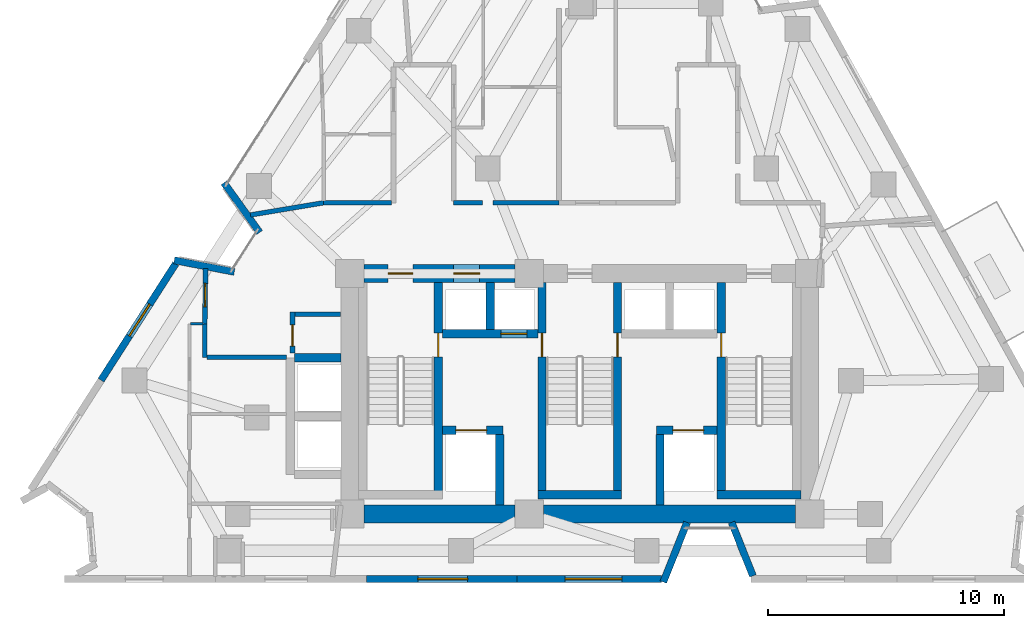
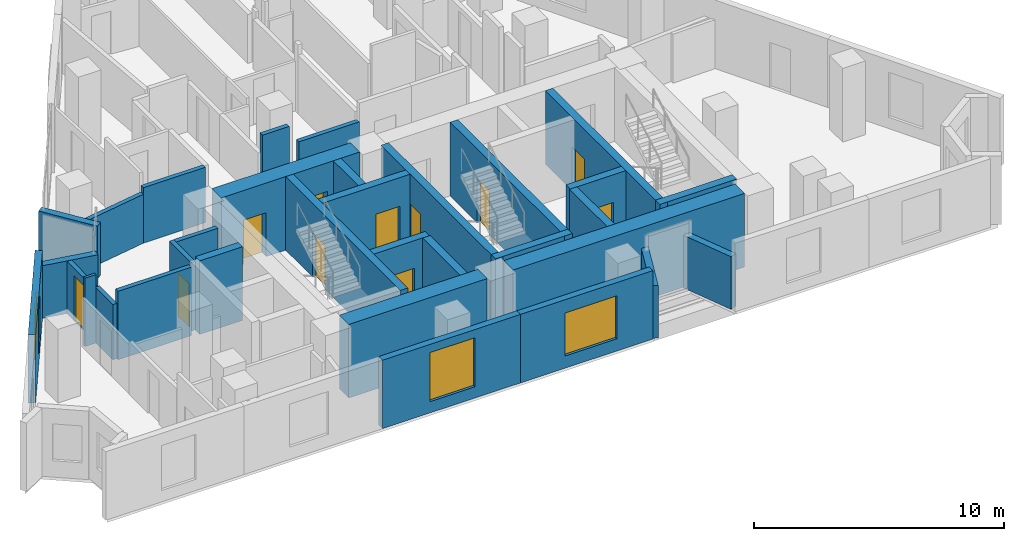
# One storey, part 6 of 11: 33 walls, 11 doors, 3 windows, 14 openings.
"""IFC4 building model written with IfcOpenShell, lengths in metres."""

from ifc_helpers import new_model, si_unit, direction, frame, frame_2d, origin, place, context, subcontext, project, spatial, rectangle, extrude, material, layer, layer_set, type_object, element, fill, save


model = new_model("IFC4")

# Units and contexts
model_context = context("Model", 3, precision=1e-05, world=origin(), true_north=direction((0.0, 1.0)))
body_context = subcontext(model_context, "Body", "Model", "MODEL_VIEW")
ifc_project = project(units=[si_unit("LENGTHUNIT", "METRE"), si_unit("AREAUNIT", "SQUARE_METRE"), si_unit("VOLUMEUNIT", "CUBIC_METRE"), si_unit("PLANEANGLEUNIT", "RADIAN"), si_unit("MASSUNIT", "GRAM", prefix="KILO")], contexts=[model_context])

# Site, building, storey
site_placement = place(None, origin())
site = spatial("IfcSite", under=ifc_project, at=site_placement, CompositionType="ELEMENT")
building_placement = place(site_placement, origin())
building = spatial("IfcBuilding", under=site, at=building_placement, Name="Almagre Mirador Tower", CompositionType="ELEMENT")
storey_placement = place(building_placement, frame((0.0, 0.0, 160.800048828125)))
storey = spatial("IfcBuildingStorey", under=building, at=storey_placement, Name="L41", CompositionType="ELEMENT", Elevation=160.800048828125)

# Walls
ifc_material_1 = material(Name="Precast concrete C50/60", Category="concrete")
ifc_layer_1 = layer(ifc_material_1, 0.300048828125)
ifc_layer_set_1 = layer_set([ifc_layer_1], Name="Precast concrete C50/60")
wall_type_1 = type_object("IfcWallType", Name="WAL-EXT-300", PredefinedType="SOLIDWALL", material=ifc_layer_set_1)
wall_1_placement = place(storey_placement, frame((20.103515625, 15.3125, 0.0), z_axis=(0.0, 0.0, 1.0), x_axis=(0.98176398898, -0.190103839891, 0.0)))
element("IfcWall", 1, at=wall_1_placement, inside=storey, type_object=wall_type_1, Name="L41 expressed almagre precast frame wall 01", PredefinedType="SOLIDWALL", context=body_context, shape_type="SweptSolid", body=[
    extrude(rectangle(XDim=2.59423828125, YDim=0.300048828125, at=frame_2d((1.297119140625, 0.0))), origin(), (0.0, 0.0, 1.0), 2.574951171875),
])
wall_2_placement = place(storey_placement, frame((23.72265625, 16.4921875, 0.0), z_axis=(0.0, 0.0, 1.0), x_axis=(-0.583178108206, 0.812344319922, 0.0)))
element("IfcWall", 2, at=wall_2_placement, inside=storey, type_object=wall_type_1, Name="L41 expressed almagre precast frame wall 02", PredefinedType="SOLIDWALL", context=body_context, shape_type="SweptSolid", body=[
    extrude(rectangle(XDim=2.593017578125, YDim=0.300048828125, at=frame_2d((1.29638671875, 0.0))), origin(), (0.0, 0.0, 1.0), 2.574951171875),
])
wall_3_placement = place(storey_placement, frame((44.64013671875, 1.93017578125, 0.0), z_axis=(0.0, 0.0, 1.0), x_axis=(-0.369476217581, 0.929240186734, 0.0)))
element("IfcWall", 3, at=wall_3_placement, inside=storey, type_object=wall_type_1, Name="L41 expressed almagre precast frame wall 23", PredefinedType="SOLIDWALL", context=body_context, shape_type="SweptSolid", body=[
    extrude(rectangle(XDim=2.441650390625, YDim=0.300048828125, at=frame_2d((1.220703125, 0.0))), origin(), (0.0, 0.0, 1.0), 2.574951171875),
])
wall_4_placement = place(storey_placement, frame((41.845947265625, 4.198974609375, 0.0), z_axis=(0.0, 0.0, 1.0), x_axis=(-0.369487569888, -0.929235672851, 0.0)))
element("IfcWall", 4, at=wall_4_placement, inside=storey, type_object=wall_type_1, Name="L41 expressed almagre precast frame wall 24", PredefinedType="SOLIDWALL", context=body_context, shape_type="SweptSolid", body=[
    extrude(rectangle(XDim=2.7216796875, YDim=0.300048828125, at=frame_2d((1.36083984375, 0.0))), origin(), (0.0, 0.0, 1.0), 2.574951171875),
])

# Wall, opening, window
wall_5_placement = place(storey_placement, frame((40.757080078125, 1.800048828125, 0.0), z_axis=(0.0, 0.0, 1.0), x_axis=(-1.0, 0.0, 0.0)))
wall_5 = element("IfcWall", 5, at=wall_5_placement, inside=storey, type_object=wall_type_1, Name="L41 expressed almagre precast frame wall 25", PredefinedType="SOLIDWALL", context=body_context, shape_type="SweptSolid", body=[
    extrude(rectangle(XDim=6.1181640625, YDim=0.300048828125, at=frame_2d((3.05908203125, 0.0))), origin(), (0.0, 0.0, 1.0), 3.349853515625),
])
opening_1_placement = place(wall_5_placement, frame((1.675048828125, 0.0, 0.60009765625)))
opening_1 = element("IfcOpeningElement", 6, at=opening_1_placement, cuts=wall_5, Name="Opening WN-02", PredefinedType="OPENING", context=body_context, shape_type="SweptSolid", body=[
    extrude(rectangle(XDim=2.39990234375, YDim=2.10009765625, at=frame_2d((1.199951171875, 1.050048828125))), frame((0.0, 0.159902, 0.0), z_axis=(0.0, -1.0, 0.0), x_axis=(1.0, 0.0, 0.0)), (0.0, 0.0, 1.0), 0.320049),
])
ifc_material_2 = material(Name="Dark solar-control laminated hurricane glass", Category="glass")
window_type_1 = type_object("IfcWindowType", Name="WIN-2400X2100", PartitioningType="TRIPLE_PANEL_VERTICAL", PredefinedType="WINDOW", material=ifc_material_2)
window_1_placement = place(opening_1_placement, origin())
window_1 = element("IfcWindow", 7, at=window_1_placement, inside=storey, type_object=window_type_1, Name="L41 recessed hurricane window L41-RST-B", OverallHeight=2.10009765625, OverallWidth=2.39990234375, PartitioningType="SINGLE_PANEL", PredefinedType="WINDOW", context=body_context, shape_type="SweptSolid", body=[
    extrude(rectangle(XDim=2.39990234375, YDim=2.10009765625, at=frame_2d((1.199951171875, 1.050048828125))), frame((0.0, 0.030029296875, 0.0), z_axis=(0.0, -1.0, 0.0), x_axis=(1.0, 0.0, 0.0)), (0.0, 0.0, 1.0), 0.06005859375),
])
fill(opening_1, window_1)

wall_6_placement = place(storey_placement, frame((34.638916015625, 1.800048828125, 0.0), z_axis=(0.0, 0.0, 1.0), x_axis=(-1.0, 0.0, 0.0)))
wall_6 = element("IfcWall", 8, at=wall_6_placement, inside=storey, type_object=wall_type_1, Name="L41 expressed almagre precast frame wall 26", PredefinedType="SOLIDWALL", context=body_context, shape_type="SweptSolid", body=[
    extrude(rectangle(XDim=6.392822265625, YDim=0.300048828125, at=frame_2d((3.1962890625, 0.0))), origin(), (0.0, 0.0, 1.0), 3.349853515625),
])
opening_2_placement = place(wall_6_placement, frame((2.10009765625, 0.0, 0.550048828125)))
opening_2 = element("IfcOpeningElement", 9, at=opening_2_placement, cuts=wall_6, Name="Opening WN-05", PredefinedType="OPENING", context=body_context, shape_type="SweptSolid", body=[
    extrude(rectangle(XDim=2.10009765625, YDim=2.39990234375, at=frame_2d((1.050048828125, 1.199951171875))), frame((0.0, 0.159902, 0.0), z_axis=(0.0, -1.0, 0.0), x_axis=(1.0, 0.0, 0.0)), (0.0, 0.0, 1.0), 0.320049),
])
ifc_material_3 = material(Name="Dark solar-control laminated hurricane glass", Category="glass")
window_type_2 = type_object("IfcWindowType", Name="WIN-2100X2400", PartitioningType="DOUBLE_PANEL_VERTICAL", PredefinedType="WINDOW", material=ifc_material_3)
window_2_placement = place(opening_2_placement, origin())
window_2 = element("IfcWindow", 10, at=window_2_placement, inside=storey, type_object=window_type_2, Name="L41 recessed hurricane window L41-RST-B", OverallHeight=2.39990234375, OverallWidth=2.10009765625, PartitioningType="SINGLE_PANEL", PredefinedType="WINDOW", context=body_context, shape_type="SweptSolid", body=[
    extrude(rectangle(XDim=2.10009765625, YDim=2.39990234375, at=frame_2d((1.050048828125, 1.199951171875))), frame((0.0, 0.030029296875, 0.0), z_axis=(0.0, -1.0, 0.0), x_axis=(1.0, 0.0, 0.0)), (0.0, 0.0, 1.0), 0.06005859375),
])
fill(opening_2, window_2)

wall_7_placement = place(storey_placement, frame((16.99951171875, 10.22705078125, 0.0), z_axis=(0.0, 0.0, 1.0), x_axis=(0.539500668401, 0.841985171363, 0.0)))
wall_7 = element("IfcWall", 11, at=wall_7_placement, inside=storey, type_object=wall_type_1, Name="L41 expressed almagre precast frame wall 34", PredefinedType="SOLIDWALL", context=body_context, shape_type="SweptSolid", body=[
    extrude(rectangle(XDim=5.873291015625, YDim=0.300048828125, at=frame_2d((2.9365234375, 0.0))), origin(), (0.0, 0.0, 1.0), 3.349853515625),
])
opening_3_placement = place(wall_7_placement, frame((2.22509765625, 0.0, 0.550048828125)))
opening_3 = element("IfcOpeningElement", 12, at=opening_3_placement, cuts=wall_7, Name="Opening WN-06", PredefinedType="OPENING", context=body_context, shape_type="SweptSolid", body=[
    extrude(rectangle(XDim=1.60009765625, YDim=2.199951171875, at=frame_2d((0.800048828125, 1.10009765625))), frame((0.0, 0.159902, 0.0), z_axis=(0.0, -1.0, 0.0), x_axis=(1.0, 0.0, 0.0)), (0.0, 0.0, 1.0), 0.320049),
])
ifc_material_4 = material(Name="Dark solar-control laminated hurricane glass", Category="glass")
window_type_3 = type_object("IfcWindowType", Name="WIN-1600X2200", PartitioningType="DOUBLE_PANEL_VERTICAL", PredefinedType="WINDOW", material=ifc_material_4)
window_3_placement = place(opening_3_placement, origin())
window_3 = element("IfcWindow", 13, at=window_3_placement, inside=storey, type_object=window_type_3, Name="L41 recessed hurricane window L41-UA-LV", OverallHeight=2.199951171875, OverallWidth=1.60009765625, PartitioningType="SINGLE_PANEL", PredefinedType="WINDOW", context=body_context, shape_type="SweptSolid", body=[
    extrude(rectangle(XDim=1.60009765625, YDim=2.199951171875, at=frame_2d((0.800048828125, 1.10009765625))), frame((0.0, 0.030029296875, 0.0), z_axis=(0.0, -1.0, 0.0), x_axis=(1.0, 0.0, 0.0)), (0.0, 0.0, 1.0), 0.06005859375),
])
fill(opening_3, window_3)

# Wall
ifc_material_5 = material(Name="Gypsum acoustic stud partition", Category="other")
ifc_layer_2 = layer(ifc_material_5, 0.125)
ifc_layer_set_2 = layer_set([ifc_layer_2], Name="Gypsum acoustic stud partition")
wall_type_2 = type_object("IfcWallType", Name="WAL-PRT-125-UTL", PredefinedType="PARTITIONING", material=ifc_layer_set_2)
wall_8_placement = place(storey_placement, frame((20.797607421875, 12.6201171875, 0.0), z_axis=(0.0, 0.0, 1.0), x_axis=(1.0, 0.0, 0.0)))
element("IfcWall", 14, at=wall_8_placement, inside=storey, type_object=wall_type_2, Name="L41 interior partition 029", PredefinedType="PARTITIONING", context=body_context, shape_type="SweptSolid", body=[
    extrude(rectangle(XDim=0.517333984375, YDim=0.125, at=frame_2d((0.2587890625, 0.0))), origin(), (0.0, 0.0, 1.0), 3.349853515625),
])

# Wall, opening, door
ifc_material_6 = material(Name="Gypsum acoustic stud partition", Category="other")
ifc_layer_3 = layer(ifc_material_6, 0.199951171875)
ifc_layer_set_3 = layer_set([ifc_layer_3], Name="Gypsum acoustic stud partition")
wall_type_3 = type_object("IfcWallType", Name="WAL-PRT-200-EI60", PredefinedType="PARTITIONING", material=ifc_layer_set_3)
wall_9_placement = place(storey_placement, frame((25.1201171875, 11.3701171875, 0.0), z_axis=(0.0, 0.0, 1.0), x_axis=(0.0, 1.0, 0.0)))
wall_9 = element("IfcWall", 15, at=wall_9_placement, inside=storey, type_object=wall_type_3, Name="L41 core ancillary west wall", PredefinedType="PARTITIONING", context=body_context, shape_type="SweptSolid", body=[
    extrude(rectangle(XDim=1.739990234375, YDim=0.199951171875, at=frame_2d((0.8701171875, 0.0))), origin(), (0.0, 0.0, 1.0), 3.349853515625),
])
opening_4_placement = place(wall_9_placement, frame((0.304931640625, 0.0, 0.0)))
opening_4 = element("IfcOpeningElement", 16, at=opening_4_placement, cuts=wall_9, Name="Opening ID-03", PredefinedType="OPENING", context=body_context, shape_type="SweptSolid", body=[
    extrude(rectangle(XDim=0.89990234375, YDim=2.10009765625, at=frame_2d((0.449951171875, 1.050048828125))), frame((0.0, 0.110098, 0.0), z_axis=(0.0, -1.0, 0.0), x_axis=(1.0, 0.0, 0.0)), (0.0, 0.0, 1.0), 0.219951),
])
ifc_material_7 = material(Name="Fire-rated hollow steel", Category="steel")
door_type_1 = type_object("IfcDoorType", Name="DOR-FD60-900X2100", OperationType="NOTDEFINED", PredefinedType="DOOR", material=ifc_material_7)
door_1_placement = place(opening_4_placement, origin())
door_1 = element("IfcDoor", 17, at=door_1_placement, inside=storey, type_object=door_type_1, Name="DR-1316 L41 core ancillary corridor door", OperationType="SINGLE_SWING_LEFT", OverallHeight=2.10009765625, OverallWidth=0.89990234375, PredefinedType="DOOR", context=body_context, shape_type="SweptSolid", body=[
    extrude(rectangle(XDim=0.89990234375, YDim=2.10009765625, at=frame_2d((0.449951171875, 1.050048828125))), frame((0.0, 0.02490234375, 0.0), z_axis=(0.0, -1.0, 0.0), x_axis=(1.0, 0.0, 0.0)), (0.0, 0.0, 1.0), 0.050048828125),
])
fill(opening_4, door_1)

# Wall
wall_10_placement = place(storey_placement, frame((25.22509765625, 13.02001953125, 0.0), z_axis=(0.0, 0.0, 1.0), x_axis=(1.0, 0.0, 0.0)))
element("IfcWall", 18, at=wall_10_placement, inside=storey, type_object=wall_type_3, Name="L41 core ancillary north wall", PredefinedType="PARTITIONING", context=body_context, shape_type="SweptSolid", body=[
    extrude(rectangle(XDim=1.934814453125, YDim=0.199951171875, at=frame_2d((0.96728515625, 0.0))), origin(), (0.0, 0.0, 1.0), 3.349853515625),
])

# Wall, opening, door
wall_11_placement = place(storey_placement, frame((21.43310546875, 14.9560546875, 0.0), z_axis=(0.0, 0.0, 1.0), x_axis=(-0.014212611143, -0.999898995741, 0.0)))
wall_11 = element("IfcWall", 19, at=wall_11_placement, inside=storey, type_object=wall_type_3, Name="L41 interior partition 001", PredefinedType="PARTITIONING", context=body_context, shape_type="SweptSolid", body=[
    extrude(rectangle(XDim=2.336181640625, YDim=0.199951171875, at=frame_2d((1.16796875, 0.0))), origin(), (0.0, 0.0, 1.0), 2.570068359375),
])
opening_5_placement = place(wall_11_placement, frame((0.61865234375, 0.0, 0.0)))
opening_5 = element("IfcOpeningElement", 20, at=opening_5_placement, cuts=wall_11, Name="Opening ID-01", PredefinedType="OPENING", context=body_context, shape_type="SweptSolid", body=[
    extrude(rectangle(XDim=1.0, YDim=2.199951171875, at=frame_2d((0.5, 1.10009765625))), frame((0.0, 0.110098, 0.0), z_axis=(0.0, -1.0, 0.0), x_axis=(1.0, 0.0, 0.0)), (0.0, 0.0, 1.0), 0.219951),
])
ifc_material_8 = material(Name="Fire-rated walnut timber", Category="wood")
door_type_2 = type_object("IfcDoorType", Name="DOR-FD60-1000X2200", OperationType="NOTDEFINED", PredefinedType="DOOR", material=ifc_material_8)
door_2_placement = place(opening_5_placement, origin())
door_2 = element("IfcDoor", 21, at=door_2_placement, inside=storey, type_object=door_type_2, Name="DR-1323 L41 interior door L41-RCOR to L41-UA-LV", OperationType="SINGLE_SWING_RIGHT", OverallHeight=2.199951171875, OverallWidth=1.0, PredefinedType="DOOR", context=body_context, shape_type="SweptSolid", body=[
    extrude(rectangle(XDim=1.0, YDim=2.199951171875, at=frame_2d((0.5, 1.10009765625))), frame((0.0, 0.02490234375, 0.0), z_axis=(0.0, -1.0, 0.0), x_axis=(1.0, 0.0, 0.0)), (0.0, 0.0, 1.0), 0.050048828125),
])
fill(opening_5, door_2)

# Walls
wall_12_placement = place(storey_placement, frame((21.39990234375, 12.6201171875, 0.0), z_axis=(0.0, 0.0, 1.0), x_axis=(0.0, -1.0, 0.0)))
element("IfcWall", 22, at=wall_12_placement, inside=storey, type_object=wall_type_3, Name="L41 interior partition 002", PredefinedType="PARTITIONING", context=body_context, shape_type="SweptSolid", body=[
    extrude(rectangle(XDim=1.420166015625, YDim=0.199951171875, at=frame_2d((0.7099609375, 0.0))), origin(), (0.0, 0.0, 1.0), 2.708984375),
])
wall_13_placement = place(storey_placement, frame((21.485107421875, 11.199951171875, 0.0), z_axis=(0.0, 0.0, 1.0), x_axis=(1.0, 0.0, 0.0)))
element("IfcWall", 23, at=wall_13_placement, inside=storey, type_object=wall_type_3, Name="L41 interior partition 003", PredefinedType="PARTITIONING", context=body_context, shape_type="SweptSolid", body=[
    extrude(rectangle(XDim=3.384033203125, YDim=0.199951171875, at=frame_2d((1.69189453125, 0.0))), origin(), (0.0, 0.0, 1.0), 3.349853515625),
])
wall_14_placement = place(storey_placement, frame((26.43994140625, 17.75, 0.0), z_axis=(0.0, 0.0, 1.0), x_axis=(-0.986465106599, -0.163971319024, 0.0)))
element("IfcWall", 24, at=wall_14_placement, inside=storey, type_object=wall_type_3, Name="L41 interior partition 007", PredefinedType="PARTITIONING", context=body_context, shape_type="SweptSolid", body=[
    extrude(rectangle(XDim=3.1474609375, YDim=0.199951171875, at=frame_2d((1.57373046875, 0.0))), origin(), (0.0, 0.0, 1.0), 2.39306640625),
])
wall_15_placement = place(storey_placement, frame((29.31494140625, 17.75, 0.0), z_axis=(0.0, 0.0, 1.0), x_axis=(-1.0, 0.0, 0.0)))
element("IfcWall", 25, at=wall_15_placement, inside=storey, type_object=wall_type_3, Name="L41 interior partition 009", PredefinedType="PARTITIONING", context=body_context, shape_type="SweptSolid", body=[
    extrude(rectangle(XDim=2.875, YDim=0.199951171875, at=frame_2d((1.4375, 0.0))), origin(), (0.0, 0.0, 1.0), 2.708984375),
])
wall_16_placement = place(storey_placement, frame((33.179931640625, 17.75, 0.0), z_axis=(0.0, 0.0, 1.0), x_axis=(-1.0, 0.0, 0.0)))
element("IfcWall", 26, at=wall_16_placement, inside=storey, type_object=wall_type_3, Name="L41 interior partition 022", PredefinedType="PARTITIONING", context=body_context, shape_type="SweptSolid", body=[
    extrude(rectangle(XDim=1.22998046875, YDim=0.199951171875, at=frame_2d((0.614990234375, 0.0))), origin(), (0.0, 0.0, 1.0), 3.349853515625),
])
wall_17_placement = place(storey_placement, frame((36.419921875, 17.75, 0.0), z_axis=(0.0, 0.0, 1.0), x_axis=(-1.0, 0.0, 0.0)))
element("IfcWall", 27, at=wall_17_placement, inside=storey, type_object=wall_type_3, Name="L41 interior partition 024", PredefinedType="PARTITIONING", context=body_context, shape_type="SweptSolid", body=[
    extrude(rectangle(XDim=2.7998046875, YDim=0.199951171875, at=frame_2d((1.39990234375, 0.0))), origin(), (0.0, 0.0, 1.0), 2.43603515625),
])

# Wall, opening, door
ifc_material_9 = material(Name="Concrete C60/75", Category="concrete")
ifc_layer_4 = layer(ifc_material_9, 0.35009765625)
ifc_layer_set_4 = layer_set([ifc_layer_4], Name="Concrete C60/75")
wall_type_4 = type_object("IfcWallType", Name="WAL-SHF-350", PredefinedType="SOLIDWALL", material=ifc_layer_set_4)
wall_18_placement = place(storey_placement, frame((31.300048828125, 5.199951171875, 0.0), z_axis=(0.0, 0.0, 1.0), x_axis=(0.0, 1.0, 0.0)))
wall_18 = element("IfcWall", 28, at=wall_18_placement, inside=storey, type_object=wall_type_4, Name="L41 shaft wall ST1-E", PredefinedType="SOLIDWALL", context=body_context, shape_type="SweptSolid", body=[
    extrude(rectangle(XDim=9.175048828125, YDim=0.35009765625, at=frame_2d((4.58740234375, 0.0))), origin(), (0.0, 0.0, 1.0), 3.599853515625),
])
opening_6_placement = place(wall_18_placement, frame((6.02001953125, 0.0, 0.0)))
opening_6 = element("IfcOpeningElement", 29, at=opening_6_placement, cuts=wall_18, Name="Opening FD-01", PredefinedType="OPENING", context=body_context, shape_type="SweptSolid", body=[
    extrude(rectangle(XDim=1.0, YDim=2.14990234375, at=frame_2d((0.5, 1.074951171875))), frame((0.0, 0.185049, 0.0), z_axis=(0.0, -1.0, 0.0), x_axis=(1.0, 0.0, 0.0)), (0.0, 0.0, 1.0), 0.370098),
])
ifc_material_10 = material(Name="Fire-rated hollow steel", Category="steel")
door_type_3 = type_object("IfcDoorType", Name="DOR-FFL-1000X2150", OperationType="NOTDEFINED", PredefinedType="DOOR", material=ifc_material_10)
door_3_placement = place(opening_6_placement, origin())
door_3 = element("IfcDoor", 30, at=door_3_placement, inside=storey, type_object=door_type_3, Name="DR-1317 L41 FFL1-ST1 smokeproof door", OperationType="SINGLE_SWING_LEFT", OverallHeight=2.14990234375, OverallWidth=1.0, PredefinedType="DOOR", context=body_context, shape_type="SweptSolid", body=[
    extrude(rectangle(XDim=1.0, YDim=2.14990234375, at=frame_2d((0.5, 1.074951171875))), frame((0.0, 0.02490234375, 0.0), z_axis=(0.0, -1.0, 0.0), x_axis=(1.0, 0.0, 0.0)), (0.0, 0.0, 1.0), 0.050048828125),
])
fill(opening_6, door_3)

wall_19_placement = place(storey_placement, frame((35.699951171875, 5.199951171875, 0.0), z_axis=(0.0, 0.0, 1.0), x_axis=(0.0, 1.0, 0.0)))
wall_19 = element("IfcWall", 31, at=wall_19_placement, inside=storey, type_object=wall_type_4, Name="L41 shaft wall ST2-W", PredefinedType="SOLIDWALL", context=body_context, shape_type="SweptSolid", body=[
    extrude(rectangle(XDim=9.175048828125, YDim=0.35009765625, at=frame_2d((4.58740234375, 0.0))), origin(), (0.0, 0.0, 1.0), 3.599853515625),
])
opening_7_placement = place(wall_19_placement, frame((6.02001953125, 0.0, 0.0)))
opening_7 = element("IfcOpeningElement", 32, at=opening_7_placement, cuts=wall_19, Name="Opening FD-01", PredefinedType="OPENING", context=body_context, shape_type="SweptSolid", body=[
    extrude(rectangle(XDim=1.0, YDim=2.14990234375, at=frame_2d((0.5, 1.074951171875))), frame((0.0, 0.185049, 0.0), z_axis=(0.0, -1.0, 0.0), x_axis=(1.0, 0.0, 0.0)), (0.0, 0.0, 1.0), 0.370098),
])
door_4_placement = place(opening_7_placement, origin())
door_4 = element("IfcDoor", 33, at=door_4_placement, inside=storey, type_object=door_type_3, Name="DR-1318 L41 FFL1-ST2 smokeproof door", OperationType="SINGLE_SWING_RIGHT", OverallHeight=2.14990234375, OverallWidth=1.0, PredefinedType="DOOR", context=body_context, shape_type="SweptSolid", body=[
    extrude(rectangle(XDim=1.0, YDim=2.14990234375, at=frame_2d((0.5, 1.074951171875))), frame((0.0, 0.02490234375, 0.0), z_axis=(0.0, -1.0, 0.0), x_axis=(1.0, 0.0, 0.0)), (0.0, 0.0, 1.0), 0.050048828125),
])
fill(opening_7, door_4)

wall_20_placement = place(storey_placement, frame((38.89990234375, 5.199951171875, 0.0), z_axis=(0.0, 0.0, 1.0), x_axis=(0.0, 1.0, 0.0)))
wall_20 = element("IfcWall", 34, at=wall_20_placement, inside=storey, type_object=wall_type_4, Name="L41 shaft wall ST2-E", PredefinedType="SOLIDWALL", context=body_context, shape_type="SweptSolid", body=[
    extrude(rectangle(XDim=9.175048828125, YDim=0.35009765625, at=frame_2d((4.58740234375, 0.0))), origin(), (0.0, 0.0, 1.0), 3.599853515625),
])
opening_8_placement = place(wall_20_placement, frame((6.02001953125, 0.0, 0.0)))
opening_8 = element("IfcOpeningElement", 35, at=opening_8_placement, cuts=wall_20, Name="Opening FD-01", PredefinedType="OPENING", context=body_context, shape_type="SweptSolid", body=[
    extrude(rectangle(XDim=1.0, YDim=2.14990234375, at=frame_2d((0.5, 1.074951171875))), frame((0.0, 0.185049, 0.0), z_axis=(0.0, -1.0, 0.0), x_axis=(1.0, 0.0, 0.0)), (0.0, 0.0, 1.0), 0.370098),
])
door_5_placement = place(opening_8_placement, origin())
door_5 = element("IfcDoor", 36, at=door_5_placement, inside=storey, type_object=door_type_3, Name="DR-1319 L41 FFL2-ST2 smokeproof door", OperationType="SINGLE_SWING_LEFT", OverallHeight=2.14990234375, OverallWidth=1.0, PredefinedType="DOOR", context=body_context, shape_type="SweptSolid", body=[
    extrude(rectangle(XDim=1.0, YDim=2.14990234375, at=frame_2d((0.5, 1.074951171875))), frame((0.0, 0.02490234375, 0.0), z_axis=(0.0, -1.0, 0.0), x_axis=(1.0, 0.0, 0.0)), (0.0, 0.0, 1.0), 0.050048828125),
])
fill(opening_8, door_5)

# Wall
wall_21_placement = place(storey_placement, frame((35.52490234375, 5.375, 0.0), z_axis=(0.0, 0.0, 1.0), x_axis=(1.0, 0.0, 0.0)))
element("IfcWall", 37, at=wall_21_placement, inside=storey, type_object=wall_type_4, Name="L41 shaft wall ST2-S", PredefinedType="SOLIDWALL", context=body_context, shape_type="SweptSolid", body=[
    extrude(rectangle(XDim=3.550048828125, YDim=0.35009765625, at=frame_2d((1.77490234375, 0.0))), origin(), (0.0, 0.0, 1.0), 3.599853515625),
])

# Wall, opening, door
wall_22_placement = place(storey_placement, frame((43.300048828125, 5.199951171875, 0.0), z_axis=(0.0, 0.0, 1.0), x_axis=(0.0, 1.0, 0.0)))
wall_22 = element("IfcWall", 38, at=wall_22_placement, inside=storey, type_object=wall_type_4, Name="L41 shaft wall ST3-W", PredefinedType="SOLIDWALL", context=body_context, shape_type="SweptSolid", body=[
    extrude(rectangle(XDim=9.175048828125, YDim=0.35009765625, at=frame_2d((4.58740234375, 0.0))), origin(), (0.0, 0.0, 1.0), 3.599853515625),
])
opening_9_placement = place(wall_22_placement, frame((6.02001953125, 0.0, 0.0)))
opening_9 = element("IfcOpeningElement", 39, at=opening_9_placement, cuts=wall_22, Name="Opening FD-01", PredefinedType="OPENING", context=body_context, shape_type="SweptSolid", body=[
    extrude(rectangle(XDim=1.0, YDim=2.14990234375, at=frame_2d((0.5, 1.074951171875))), frame((0.0, 0.185049, 0.0), z_axis=(0.0, -1.0, 0.0), x_axis=(1.0, 0.0, 0.0)), (0.0, 0.0, 1.0), 0.370098),
])
door_6_placement = place(opening_9_placement, origin())
door_6 = element("IfcDoor", 40, at=door_6_placement, inside=storey, type_object=door_type_3, Name="DR-1320 L41 FFL2-ST3 smokeproof door", OperationType="SINGLE_SWING_RIGHT", OverallHeight=2.14990234375, OverallWidth=1.0, PredefinedType="DOOR", context=body_context, shape_type="SweptSolid", body=[
    extrude(rectangle(XDim=1.0, YDim=2.14990234375, at=frame_2d((0.5, 1.074951171875))), frame((0.0, 0.02490234375, 0.0), z_axis=(0.0, -1.0, 0.0), x_axis=(1.0, 0.0, 0.0)), (0.0, 0.0, 1.0), 0.050048828125),
])
fill(opening_9, door_6)

# Wall
wall_23_placement = place(storey_placement, frame((43.125, 5.375, 0.0), z_axis=(0.0, 0.0, 1.0), x_axis=(1.0, 0.0, 0.0)))
element("IfcWall", 41, at=wall_23_placement, inside=storey, type_object=wall_type_4, Name="L41 shaft wall ST3-S", PredefinedType="SOLIDWALL", context=body_context, shape_type="SweptSolid", body=[
    extrude(rectangle(XDim=3.550048828125, YDim=0.35009765625, at=frame_2d((1.77490234375, 0.0))), origin(), (0.0, 0.0, 1.0), 3.599853515625),
])

# Wall, opening, door
wall_24_placement = place(storey_placement, frame((31.47509765625, 8.10009765625, 0.0), z_axis=(0.0, 0.0, 1.0), x_axis=(1.0, 0.0, 0.0)))
wall_24 = element("IfcWall", 42, at=wall_24_placement, inside=storey, type_object=wall_type_4, Name="L41 shaft wall FSAE1-N", PredefinedType="SOLIDWALL", context=body_context, shape_type="SweptSolid", body=[
    extrude(rectangle(XDim=2.574951171875, YDim=0.35009765625, at=frame_2d((1.28759765625, 0.0))), origin(), (0.0, 0.0, 1.0), 3.599853515625),
])
opening_10_placement = place(wall_24_placement, frame((0.574951171875, 0.0, 0.0)))
opening_10 = element("IfcOpeningElement", 43, at=opening_10_placement, cuts=wall_24, Name="Opening LD-03", PredefinedType="OPENING", context=body_context, shape_type="SweptSolid", body=[
    extrude(rectangle(XDim=1.300048828125, YDim=2.25, at=frame_2d((0.64990234375, 1.125))), frame((0.0, 0.185049, 0.0), z_axis=(0.0, -1.0, 0.0), x_axis=(1.0, 0.0, 0.0)), (0.0, 0.0, 1.0), 0.370098),
])
ifc_material_11 = material(Name="Hollow stainless steel", Category="steel")
door_type_4 = type_object("IfcDoorType", Name="DOR-LD-1300X2250", OperationType="DOUBLE_DOOR_SLIDING", PredefinedType="DOOR", material=ifc_material_11)
door_7_placement = place(opening_10_placement, origin())
door_7 = element("IfcDoor", 44, at=door_7_placement, inside=storey, type_object=door_type_4, Name="DR-1336 L41 FSAE-1 lift landing door", OperationType="DOUBLE_DOOR_SLIDING", OverallHeight=2.25, OverallWidth=1.300048828125, PredefinedType="DOOR", context=body_context, shape_type="SweptSolid", body=[
    extrude(rectangle(XDim=1.300048828125, YDim=2.25, at=frame_2d((0.64990234375, 1.125))), frame((0.0, 0.02490234375, 0.0), z_axis=(0.0, -1.0, 0.0), x_axis=(1.0, 0.0, 0.0)), (0.0, 0.0, 1.0), 0.050048828125),
])
fill(opening_10, door_7)

wall_25_placement = place(storey_placement, frame((40.550048828125, 8.10009765625, 0.0), z_axis=(0.0, 0.0, 1.0), x_axis=(1.0, 0.0, 0.0)))
wall_25 = element("IfcWall", 45, at=wall_25_placement, inside=storey, type_object=wall_type_4, Name="L41 shaft wall FSAE2-N", PredefinedType="SOLIDWALL", context=body_context, shape_type="SweptSolid", body=[
    extrude(rectangle(XDim=2.574951171875, YDim=0.35009765625, at=frame_2d((1.28759765625, 0.0))), origin(), (0.0, 0.0, 1.0), 3.599853515625),
])
opening_11_placement = place(wall_25_placement, frame((0.699951171875, 0.0, 0.0)))
opening_11 = element("IfcOpeningElement", 46, at=opening_11_placement, cuts=wall_25, Name="Opening LD-03", PredefinedType="OPENING", context=body_context, shape_type="SweptSolid", body=[
    extrude(rectangle(XDim=1.300048828125, YDim=2.25, at=frame_2d((0.64990234375, 1.125))), frame((0.0, 0.185049, 0.0), z_axis=(0.0, -1.0, 0.0), x_axis=(1.0, 0.0, 0.0)), (0.0, 0.0, 1.0), 0.370098),
])
door_8_placement = place(opening_11_placement, origin())
door_8 = element("IfcDoor", 47, at=door_8_placement, inside=storey, type_object=door_type_4, Name="DR-1337 L41 FSAE-2 lift landing door", OperationType="DOUBLE_DOOR_SLIDING", OverallHeight=2.25, OverallWidth=1.300048828125, PredefinedType="DOOR", context=body_context, shape_type="SweptSolid", body=[
    extrude(rectangle(XDim=1.300048828125, YDim=2.25, at=frame_2d((0.64990234375, 1.125))), frame((0.0, 0.02490234375, 0.0), z_axis=(0.0, -1.0, 0.0), x_axis=(1.0, 0.0, 0.0)), (0.0, 0.0, 1.0), 0.050048828125),
])
fill(opening_11, door_8)

# Walls
for number, where, z_axis, x_axis, name in (
    (48, (33.89990234375, 4.925048828125, 0.0), (0.0, 0.0, 1.0), (0.0, 1.0, 0.0), "L41 shaft wall FSAE1-E"),
    (49, (40.699951171875, 4.925048828125, 0.0), (0.0, 0.0, 1.0), (0.0, 1.0, 0.0), "L41 shaft wall FSAE2-W"),
):
    element("IfcWall", number, at=place(storey_placement, frame(where, z_axis=z_axis, x_axis=x_axis)), inside=storey, type_object=wall_type_4, Name=name, PredefinedType="SOLIDWALL", context=body_context, shape_type="SweptSolid", body=[
        extrude(rectangle(XDim=3.0, YDim=0.35009765625, at=frame_2d((1.5, 0.0))), origin(), (0.0, 0.0, 1.0), 3.599853515625),
    ])

# Wall, opening, door
wall_26_placement = place(storey_placement, frame((31.47509765625, 12.199951171875, 0.0), z_axis=(0.0, 0.0, 1.0), x_axis=(1.0, 0.0, 0.0)))
wall_26 = element("IfcWall", 50, at=wall_26_placement, inside=storey, type_object=wall_type_4, Name="L41 shaft wall PLM-S", PredefinedType="SOLIDWALL", context=body_context, shape_type="SweptSolid", body=[
    extrude(rectangle(XDim=4.0498046875, YDim=0.35009765625, at=frame_2d((2.02490234375, 0.0))), origin(), (0.0, 0.0, 1.0), 3.599853515625),
])
opening_12_placement = place(wall_26_placement, frame((2.47509765625, 0.0, 0.0)))
opening_12 = element("IfcOpeningElement", 51, at=opening_12_placement, cuts=wall_26, Name="Opening LD-01", PredefinedType="OPENING", context=body_context, shape_type="SweptSolid", body=[
    extrude(rectangle(XDim=1.10009765625, YDim=2.199951171875, at=frame_2d((0.550048828125, 1.10009765625))), frame((0.0, 0.185049, 0.0), z_axis=(0.0, -1.0, 0.0), x_axis=(1.0, 0.0, 0.0)), (0.0, 0.0, 1.0), 0.370098),
])
ifc_material_12 = material(Name="Hollow stainless steel", Category="steel")
door_type_5 = type_object("IfcDoorType", Name="DOR-LD-1100X2200", OperationType="DOUBLE_DOOR_SLIDING", PredefinedType="DOOR", material=ifc_material_12)
door_9_placement = place(opening_12_placement, origin())
door_9 = element("IfcDoor", 52, at=door_9_placement, inside=storey, type_object=door_type_5, Name="DR-1339 L41 PL-M2 lift landing door", OperationType="DOUBLE_DOOR_SLIDING", OverallHeight=2.199951171875, OverallWidth=1.10009765625, PredefinedType="DOOR", context=body_context, shape_type="SweptSolid", body=[
    extrude(rectangle(XDim=1.10009765625, YDim=2.199951171875, at=frame_2d((0.550048828125, 1.10009765625))), frame((0.0, 0.02490234375, 0.0), z_axis=(0.0, -1.0, 0.0), x_axis=(1.0, 0.0, 0.0)), (0.0, 0.0, 1.0), 0.050048828125),
])
fill(opening_12, door_9)

# Walls
wall_27_placement = place(storey_placement, frame((33.5, 12.375, 0.0), z_axis=(0.0, 0.0, 1.0), x_axis=(0.0, 1.0, 0.0)))
element("IfcWall", 53, at=wall_27_placement, inside=storey, type_object=wall_type_4, Name="L41 shaft wall PLM-M", PredefinedType="SOLIDWALL", context=body_context, shape_type="SweptSolid", body=[
    extrude(rectangle(XDim=2.0, YDim=0.35009765625, at=frame_2d((1.0, 0.0))), origin(), (0.0, 0.0, 1.0), 3.599853515625),
])
wall_28_placement = place(storey_placement, frame((25.199951171875, 11.175048828125, 0.0), z_axis=(0.0, 0.0, 1.0), x_axis=(1.0, 0.0, 0.0)))
element("IfcWall", 54, at=wall_28_placement, inside=storey, type_object=wall_type_4, Name="L41 shaft wall OL-N", PredefinedType="SOLIDWALL", context=body_context, shape_type="SweptSolid", body=[
    extrude(rectangle(XDim=1.97509765625, YDim=0.35009765625, at=frame_2d((0.987548828125, 0.0))), origin(), (0.0, 0.0, 1.0), 3.599853515625),
])
ifc_material_13 = material(Name="Concrete C60/75", Category="concrete")
ifc_layer_5 = layer(ifc_material_13, 0.75)
ifc_layer_set_5 = layer_set([ifc_layer_5], Name="Concrete C60/75")
wall_type_5 = type_object("IfcWallType", Name="WAL-SHR-750", PredefinedType="SHEAR", material=ifc_layer_set_5)
wall_29_placement = place(storey_placement, frame((28.14990234375, 4.550048828125, 0.0), z_axis=(0.0, 0.0, 1.0), x_axis=(1.0, 0.0, 0.0)))
element("IfcWall", 55, at=wall_29_placement, inside=storey, type_object=wall_type_5, Name="L41 core shear wall S1", PredefinedType="SHEAR", context=body_context, shape_type="SweptSolid", body=[
    extrude(rectangle(XDim=6.400146484375, YDim=0.75, at=frame_2d((3.2001953125, 0.0))), origin(), (0.0, 0.0, 1.0), 3.599853515625),
])
wall_30_placement = place(storey_placement, frame((35.75, 4.550048828125, 0.0), z_axis=(0.0, 0.0, 1.0), x_axis=(1.0, 0.0, 0.0)))
element("IfcWall", 56, at=wall_30_placement, inside=storey, type_object=wall_type_5, Name="L41 core shear wall S2", PredefinedType="SHEAR", context=body_context, shape_type="SweptSolid", body=[
    extrude(rectangle(XDim=10.699951171875, YDim=0.75, at=frame_2d((5.35009765625, 0.0))), origin(), (0.0, 0.0, 1.0), 3.599853515625),
])

# Wall, openings, doors
wall_31_placement = place(storey_placement, frame((28.14990234375, 14.75, 0.0), z_axis=(0.0, 0.0, 1.0), x_axis=(1.0, 0.0, 0.0)))
wall_31 = element("IfcWall", 57, at=wall_31_placement, inside=storey, type_object=wall_type_5, Name="L41 core shear wall N1", PredefinedType="SHEAR", context=body_context, shape_type="SweptSolid", body=[
    extrude(rectangle(XDim=6.400146484375, YDim=0.75, at=frame_2d((3.2001953125, 0.0))), origin(), (0.0, 0.0, 1.0), 3.599853515625),
])
opening_13_placement = place(wall_31_placement, frame((1.02490234375, 0.0, 0.0)))
opening_13 = element("IfcOpeningElement", 58, at=opening_13_placement, cuts=wall_31, Name="Opening SD-01", PredefinedType="OPENING", context=body_context, shape_type="SweptSolid", body=[
    extrude(rectangle(XDim=1.050048828125, YDim=2.14990234375, at=frame_2d((0.52490234375, 1.074951171875))), frame((0.0, 0.385, 0.0), z_axis=(0.0, -1.0, 0.0), x_axis=(1.0, 0.0, 0.0)), (0.0, 0.0, 1.0), 0.77),
])
opening_14_placement = place(wall_31_placement, frame((3.800048828125, 0.0, 0.0)))
opening_14 = element("IfcOpeningElement", 59, at=opening_14_placement, cuts=wall_31, Name="Opening LD-01", PredefinedType="OPENING", context=body_context, shape_type="SweptSolid", body=[
    extrude(rectangle(XDim=1.10009765625, YDim=2.199951171875, at=frame_2d((0.550048828125, 1.10009765625))), frame((0.0, 0.385, 0.0), z_axis=(0.0, -1.0, 0.0), x_axis=(1.0, 0.0, 0.0)), (0.0, 0.0, 1.0), 0.77),
])
door_10_placement = place(opening_14_placement, origin())
door_10 = element("IfcDoor", 60, at=door_10_placement, inside=storey, type_object=door_type_5, Name="DR-1338 L41 PL-M1 lift landing door", OperationType="DOUBLE_DOOR_SLIDING", OverallHeight=2.199951171875, OverallWidth=1.10009765625, PredefinedType="DOOR", context=body_context, shape_type="SweptSolid", body=[
    extrude(rectangle(XDim=1.10009765625, YDim=2.199951171875, at=frame_2d((0.550048828125, 1.10009765625))), frame((0.0, 0.02490234375, 0.0), z_axis=(0.0, -1.0, 0.0), x_axis=(1.0, 0.0, 0.0)), (0.0, 0.0, 1.0), 0.050048828125),
])
fill(opening_14, door_10)
ifc_material_14 = material(Name="Fire-rated hollow steel", Category="steel")
door_type_6 = type_object("IfcDoorType", Name="DOR-ST-1050X2150", OperationType="NOTDEFINED", PredefinedType="DOOR", material=ifc_material_14)
door_11_placement = place(opening_13_placement, origin())
door_11 = element("IfcDoor", 61, at=door_11_placement, inside=storey, type_object=door_type_6, Name="DR-1340 L41 protected exit stair ST-1 door", OperationType="SINGLE_SWING_RIGHT", OverallHeight=2.14990234375, OverallWidth=1.050048828125, PredefinedType="DOOR", context=body_context, shape_type="SweptSolid", body=[
    extrude(rectangle(XDim=1.050048828125, YDim=2.14990234375, at=frame_2d((0.52490234375, 1.074951171875))), frame((0.0, 0.02490234375, 0.0), z_axis=(0.0, -1.0, 0.0), x_axis=(1.0, 0.0, 0.0)), (0.0, 0.0, 1.0), 0.050048828125),
])
fill(opening_13, door_11)

save(model, "model.ifc")
